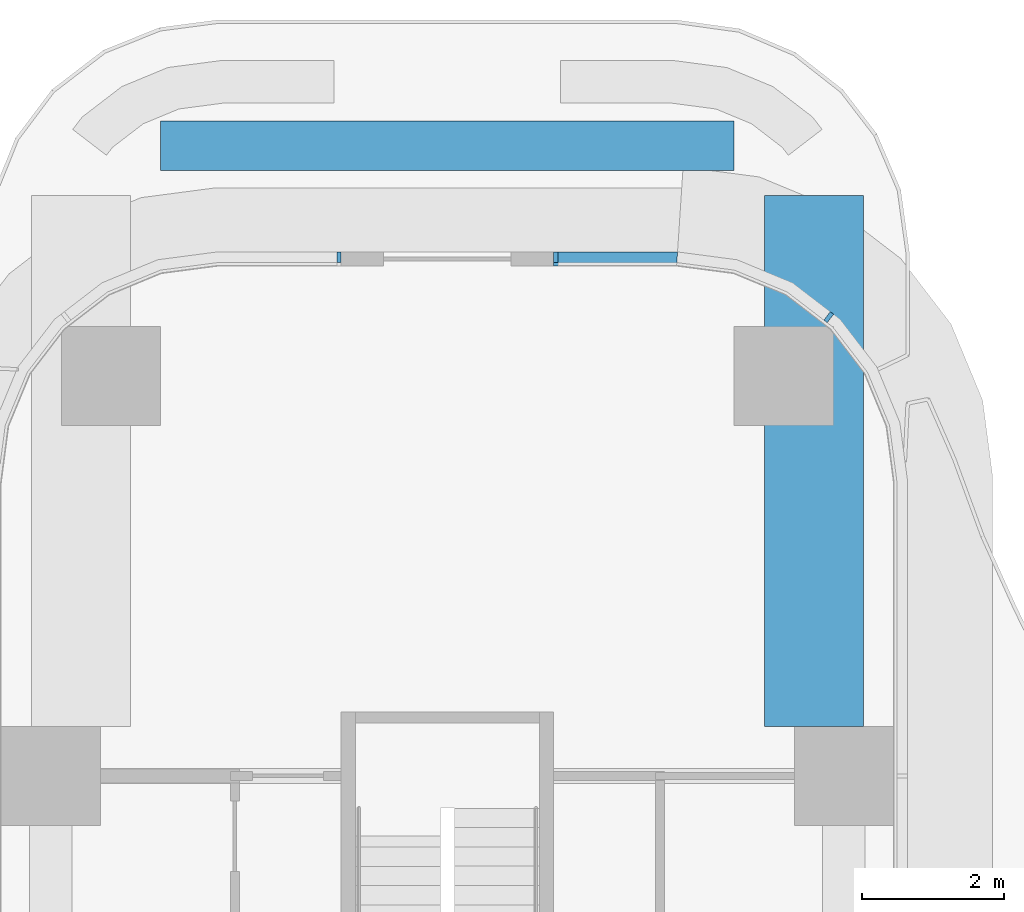
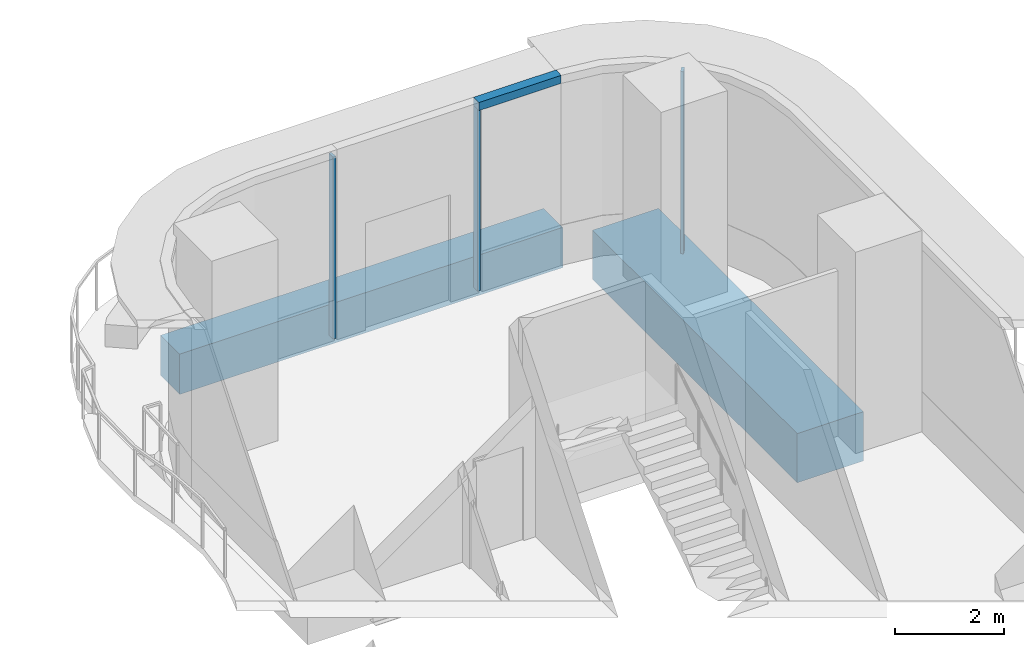
# One storey, part 12 of 22: 4 members, 2 beams, 3 elements without a shape of their own.
"""IFC4 building model written with IfcOpenShell, lengths in metres."""

import ifcopenshell
import ifcopenshell.guid

model = None  # the IFC model being written
_history = None  # IfcOwnerHistory: only IFC2X3 demands one
_inside = {}  # id of a spatial element -> (the spatial element, [elements in it])
_under = {}  # id of a project, library or spatial element -> (it, [spatial elements below it])
_declared = {}  # id of a project -> (the project, [libraries it declares])
_typed = {}  # id of a type object -> (the type object, [elements of that type])
_made_of = {}  # id of a material, layer set ... -> (it, [elements and type objects made of it])


def new_model(schema):
    """Start an empty IFC model of exactly this schema.

    Asked for "IFC4X3", IfcOpenShell would pick the latest addendum, in which some entities
    have other attributes; the version numbers below select the first issue.
    IFC2X3 requires an IfcOwnerHistory on every rooted entity: one is made here for all.
    """
    global model, _history
    if schema == "IFC4X3":
        model = ifcopenshell.file(schema_version=(4, 3, 0, 0))
    else:
        model = ifcopenshell.file(schema=schema)
    _inside.clear()
    _under.clear()
    _declared.clear()
    _typed.clear()
    _made_of.clear()
    _history = None
    if model.schema == "IFC2X3":
        org = make("IfcOrganization", Name="unknown")
        user = make(
            "IfcPersonAndOrganization",
            ThePerson=make("IfcPerson", FamilyName="unknown"),
            TheOrganization=org,
        )
        app = make(
            "IfcApplication",
            ApplicationDeveloper=org,
            Version="unknown",
            ApplicationFullName="unknown",
            ApplicationIdentifier="unknown",
        )
        _history = make(
            "IfcOwnerHistory",
            OwningUser=user,
            OwningApplication=app,
            ChangeAction="ADDED",
            CreationDate=0,
        )
    return model


def make(cls, **values):
    """One entity of the class cls with the attributes given. An attribute that is None is left unset."""
    return model.create_entity(
        cls, **{name: value for name, value in values.items() if value is not None}
    )


def rooted(cls, **values):
    """An entity with a GlobalId (a new one), such as an element, a storey or a relation."""
    return make(cls, GlobalId=ifcopenshell.guid.new(), OwnerHistory=_history, **values)


def si_unit(unit_type, name, prefix=None):
    """IfcSIUnit, for example si_unit("LENGTHUNIT", "METRE", prefix="MILLI")."""
    return make("IfcSIUnit", UnitType=unit_type, Prefix=prefix, Name=name)


def assignment(units):
    """IfcUnitAssignment: the units of a project."""
    return None if units is None else make("IfcUnitAssignment", Units=units)


def point(xyz):
    """IfcCartesianPoint."""
    return None if xyz is None else make("IfcCartesianPoint", Coordinates=xyz)


def direction(xyz):
    """IfcDirection."""
    return None if xyz is None else make("IfcDirection", DirectionRatios=xyz)


def frame(location, z_axis=None, x_axis=None):
    """IfcAxis2Placement3D, a coordinate frame: its origin and axes. An axis left out is left unset."""
    return make(
        "IfcAxis2Placement3D",
        Location=point(location),
        Axis=direction(z_axis),
        RefDirection=direction(x_axis),
    )


def frame_2d(location, x_axis=None):
    """IfcAxis2Placement2D, a coordinate frame in the plane: its origin and x axis."""
    return make(
        "IfcAxis2Placement2D", Location=point(location), RefDirection=direction(x_axis)
    )


def origin():
    """The frame at (0, 0, 0) with its axes left unset."""
    return frame((0.0, 0.0, 0.0))


def origin_2d():
    """The frame at (0, 0) in the plane with its x axis left unset."""
    return frame_2d((0.0, 0.0))


def place(relative_to, where):
    """IfcLocalPlacement: puts the frame where relative to a parent placement (None: the world)."""
    return make(
        "IfcLocalPlacement", PlacementRelTo=relative_to, RelativePlacement=where
    )


def context(
    kind, dimensions, precision=None, world=None, true_north=None, identifier=None
):
    """IfcGeometricRepresentationContext, for example the 3D "Model" context."""
    return make(
        "IfcGeometricRepresentationContext",
        ContextIdentifier=identifier,
        ContextType=kind,
        CoordinateSpaceDimension=dimensions,
        Precision=precision,
        WorldCoordinateSystem=world,
        TrueNorth=true_north,
    )


def subcontext(parent, identifier, kind, view, scale=None):
    """IfcGeometricRepresentationSubContext, for example "Body" below "Model"."""
    return make(
        "IfcGeometricRepresentationSubContext",
        ContextIdentifier=identifier,
        ContextType=kind,
        ParentContext=parent,
        TargetScale=scale,
        TargetView=view,
    )


def project(units=None, contexts=None):
    """IfcProject with its units and contexts."""
    return rooted(
        "IfcProject",
        Name="project",
        RepresentationContexts=contexts,
        UnitsInContext=assignment(units),
    )


def spatial(cls, under=None, at=None, **own):
    """A site, building, storey or space (cls), placed at a placement, below another one or the project."""
    s = rooted(cls, ObjectPlacement=at, **own)
    if under is not None:
        _under.setdefault(under.id(), (under, []))[1].append(s)
    return s


def polyline(points):
    """IfcPolyline through the points."""
    return make("IfcPolyline", Points=[point(p) for p in points])


def profile(cls, at=None, kind="AREA", **sizes):
    """A parametric profile (cls). Its sizes go by their IFC names, for example OverallWidth=200.0."""
    return make(cls, ProfileType=kind, Position=at, **sizes)


def rectangle(**sizes):
    """IfcRectangleProfileDef."""
    return profile("IfcRectangleProfileDef", **sizes)


def outline(outer, holes=None, kind="AREA"):
    """IfcArbitraryClosedProfileDef: a profile drawn as a closed curve; with holes, ...WithVoids."""
    if holes is None:
        return make("IfcArbitraryClosedProfileDef", ProfileType=kind, OuterCurve=outer)
    return make(
        "IfcArbitraryProfileDefWithVoids",
        ProfileType=kind,
        OuterCurve=outer,
        InnerCurves=holes,
    )


def extrude(swept, where, along, depth):
    """IfcExtrudedAreaSolid: the profile swept, set in the frame where, extruded along a direction by depth."""
    return make(
        "IfcExtrudedAreaSolid",
        SweptArea=swept,
        Position=where,
        ExtrudedDirection=direction(along),
        Depth=depth,
    )


def shape(context_of_items, identifier, shape_type, items):
    """IfcShapeRepresentation: the items that make up one representation, for example the "Body"."""
    return make(
        "IfcShapeRepresentation",
        ContextOfItems=context_of_items,
        RepresentationIdentifier=identifier,
        RepresentationType=shape_type,
        Items=items,
    )


def source(mapping_origin, context_of_items, identifier, shape_type, items):
    """IfcRepresentationMap: a shape defined once, which mapped items show again and again."""
    return make(
        "IfcRepresentationMap",
        MappingOrigin=mapping_origin,
        MappedRepresentation=shape(context_of_items, identifier, shape_type, items),
    )


def transform(
    local_origin,
    x_axis=None,
    y_axis=None,
    z_axis=None,
    scale=None,
    scale2=None,
    scale3=None,
    uniform=True,
):
    """IfcCartesianTransformationOperator3D, or its non-uniform kind. x_axis, y_axis, z_axis: its Axis1, 2, 3."""
    if uniform:
        return make(
            "IfcCartesianTransformationOperator3D",
            Axis1=direction(x_axis),
            Axis2=direction(y_axis),
            LocalOrigin=point(local_origin),
            Scale=scale,
            Axis3=direction(z_axis),
        )
    return make(
        "IfcCartesianTransformationOperator3DnonUniform",
        Axis1=direction(x_axis),
        Axis2=direction(y_axis),
        LocalOrigin=point(local_origin),
        Scale=scale,
        Axis3=direction(z_axis),
        Scale2=scale2,
        Scale3=scale3,
    )


def mapped(mapping_source, mapping_target):
    """IfcMappedItem: shows the shape of a source again, moved by a transform."""
    return make(
        "IfcMappedItem", MappingSource=mapping_source, MappingTarget=mapping_target
    )


def material(Name=None, Category=None):
    """IfcMaterial."""
    return make("IfcMaterial", Name=Name, Category=Category)


def layer(
    of_material, thickness, ventilated=None, Name=None, Category=None, Priority=None
):
    """IfcMaterialLayer: one layer of a wall or slab, of a material (None: an air gap)."""
    return make(
        "IfcMaterialLayer",
        Material=of_material,
        LayerThickness=thickness,
        IsVentilated=ventilated,
        Name=Name,
        Category=Category,
        Priority=Priority,
    )


def layer_set(layers, Name=None):
    """IfcMaterialLayerSet."""
    return make("IfcMaterialLayerSet", MaterialLayers=layers, LayerSetName=Name)


def material_profile(
    of_material, cross_section, Name=None, Category=None, Priority=None
):
    """IfcMaterialProfile: a cross section and its material."""
    return make(
        "IfcMaterialProfile",
        Name=Name,
        Material=of_material,
        Profile=cross_section,
        Priority=Priority,
        Category=Category,
    )


def profile_set(profiles, Name=None, composite=None):
    """IfcMaterialProfileSet."""
    return make(
        "IfcMaterialProfileSet",
        Name=Name,
        MaterialProfiles=profiles,
        CompositeProfile=composite,
    )


def made_of(thing, what):
    """Note that an element or type object is made of a material, layer set ...; save() writes the relation."""
    if what is not None:
        _made_of.setdefault(what.id(), (what, []))[1].append(thing)
    return thing


def type_object(cls, material=None, **own):
    """A type object (cls), such as IfcWallType, which elements share."""
    return made_of(rooted(cls, **own), material)


def element(
    cls,
    number,
    at=None,
    inside=None,
    cuts=None,
    type_object=None,
    material=None,
    context=None,
    identifier="Body",
    shape_type=None,
    held_by="IfcProductDefinitionShape",
    body=None,
    shapes=None,
    **own,
):
    """One element of the class cls, such as IfcWall. Its Tag is "e" and its number.

    at: its placement. inside: the storey or other place that contains it. cuts: it is an
    opening in that element (IfcRelVoidsElement). A single representation is given by context,
    identifier, shape_type and body (its items); several are given by shapes. held_by: the class
    of the entity that holds the representations. save() writes the other relations.
    """
    e = rooted(cls, Tag="e%d" % number, ObjectPlacement=at, **own)
    if body is not None:
        shapes = [shape(context, identifier, shape_type, body)]
    if shapes is not None:
        e.Representation = make(held_by, Representations=shapes)
    if inside is not None:
        _inside.setdefault(inside.id(), (inside, []))[1].append(e)
    if cuts is not None:
        rooted(
            "IfcRelVoidsElement", RelatingBuildingElement=cuts, RelatedOpeningElement=e
        )
    if type_object is not None:
        _typed.setdefault(type_object.id(), (type_object, []))[1].append(e)
    return made_of(e, material)


def aggregate(whole, parts):
    """IfcRelAggregates: a whole, such as a stair, and the parts it consists of."""
    return rooted("IfcRelAggregates", RelatingObject=whole, RelatedObjects=parts)


def save(model, path):
    """Write the relations noted so far, then the file.

    IfcRelAggregates (storeys below a building ...), IfcRelContainedInSpatialStructure (elements
    in a storey), IfcRelDefinesByType, IfcRelAssociatesMaterial and IfcRelDeclares: one each for
    every whole, place, type object, material and project.
    """
    for whole, parts in _under.values():
        aggregate(whole, parts)
    for where, things in _inside.values():
        rooted(
            "IfcRelContainedInSpatialStructure",
            RelatedElements=things,
            RelatingStructure=where,
        )
    for kind, things in _typed.values():
        rooted("IfcRelDefinesByType", RelatedObjects=things, RelatingType=kind)
    for what, things in _made_of.values():
        rooted("IfcRelAssociatesMaterial", RelatedObjects=things, RelatingMaterial=what)
    for by, libraries in _declared.values():
        rooted("IfcRelDeclares", RelatingContext=by, RelatedDefinitions=libraries)
    model.write(path)


model = new_model("IFC4")

# Units and contexts
model_context = context("Model", 3, precision=1e-05, world=origin(), true_north=direction((0.0, 1.0)))
body_context = subcontext(model_context, "Body", "Model", "MODEL_VIEW")
ifc_project = project(units=[si_unit("LENGTHUNIT", "METRE"), si_unit("AREAUNIT", "SQUARE_METRE"), si_unit("VOLUMEUNIT", "CUBIC_METRE"), si_unit("PLANEANGLEUNIT", "RADIAN"), si_unit("MASSUNIT", "GRAM", prefix="KILO")], contexts=[model_context])

# Site, building, storey
site_placement = place(None, origin())
site = spatial("IfcSite", under=ifc_project, at=site_placement, CompositionType="ELEMENT")
building_placement = place(site_placement, origin())
building = spatial("IfcBuilding", under=site, at=building_placement, Name="Trellis Farm Tower", CompositionType="ELEMENT")
storey_placement = place(building_placement, frame((0.0, 0.0, 61.0)))
storey = spatial("IfcBuildingStorey", under=building, at=storey_placement, Name="L12", CompositionType="ELEMENT", Elevation=61.0)

# Beams
ifc_material_1 = material(Name="Concrete C60/75", Category="concrete")
ifc_material_profile_1 = material_profile(ifc_material_1, rectangle(XDim=0.699951171875, YDim=0.89990234375, at=origin_2d()), Name="RC spandrel beam 700x900 C60/75")
ifc_profile_set_1 = profile_set([ifc_material_profile_1], Name="Concrete C60/75")
beam_type_1 = type_object("IfcBeamType", Name="RC spandrel beam 700x900 C60/75", PredefinedType="SPANDREL", material=ifc_profile_set_1)
shared_shape_1 = source(origin(), body_context, "Body", "SweptSolid", [
    extrude(rectangle(XDim=0.699951171875, YDim=0.89990234375, at=origin_2d()), origin(), (0.0, 0.0, 1.0), 8.10009765625),
])
beam_1_placement = place(storey_placement, frame((-4.050048828125, 27.5, -0.699951171875), z_axis=(1.0, 0.0, 0.0), x_axis=(0.0, 1.0, 0.0)))
element("IfcBeam", 1, at=beam_1_placement, inside=storey, type_object=beam_type_1, Name="Girder", PredefinedType="SPANDREL", context=body_context, shape_type="MappedRepresentation", body=[
    mapped(shared_shape_1, transform((0.0, 0.0, 0.0))),
])
ifc_material_2 = material(Name="Concrete C80/95", Category="concrete")
ifc_material_profile_2 = material_profile(ifc_material_2, rectangle(XDim=1.39990234375, YDim=1.10009765625, at=origin_2d()), Name="RC transfer beam 1400x1100 C80/95")
ifc_profile_set_2 = profile_set([ifc_material_profile_2], Name="Concrete C80/95")
beam_type_2 = type_object("IfcBeamType", Name="RC transfer beam 1400x1100 C80/95", PredefinedType="BEAM", material=ifc_profile_set_2)
shared_shape_2 = source(origin(), body_context, "Body", "SweptSolid", [
    extrude(rectangle(XDim=1.39990234375, YDim=1.10009765625, at=origin_2d()), origin(), (0.0, 0.0, 1.0), 7.5),
])
beam_2_placement = place(storey_placement, frame((5.175048828125, 19.300048828125, -0.800048828125), z_axis=(0.0, 1.0, 0.0), x_axis=(-1.0, 0.0, 0.0)))
element("IfcBeam", 2, at=beam_2_placement, inside=storey, type_object=beam_type_2, Name="Transfer girder", PredefinedType="BEAM", context=body_context, shape_type="MappedRepresentation", body=[
    mapped(shared_shape_2, transform((0.0, 0.0, 0.0))),
])

# Curtain wall, member
ifc_material_3 = material(Name="Aluminium and glass curtain wall", Category="aluminium")
ifc_layer_1 = layer(ifc_material_3, 0.18994140625)
ifc_layer_set_1 = layer_set([ifc_layer_1], Name="RIBBON CURTAIN WALL CW1")
curtain_wall_type = type_object("IfcCurtainWallType", Name="RIBBON CURTAIN WALL CW1", PredefinedType="NOTDEFINED", material=ifc_layer_set_1)
placement = place(storey_placement, origin())
curtain_wall_1 = element("IfcCurtainWall", 3, at=placement, inside=storey, type_object=curtain_wall_type, Name="CW1 009", PredefinedType="NOTDEFINED")
ifc_material_4 = material(Name="Aluminium extrusion 6063-T6", Category="aluminium")
ifc_material_profile_3 = material_profile(ifc_material_4, rectangle(XDim=0.06005859375, YDim=0.14990234375, at=origin_2d()), Name="MULLION 60x150")
ifc_profile_set_3 = profile_set([ifc_material_profile_3], Name="Aluminium extrusion 6063-T6")
member_type_1 = type_object("IfcMemberType", Name="CW1 MULLION 60x150", PredefinedType="MULLION", material=ifc_profile_set_3)
shared_shape_3 = source(origin(), body_context, "Body", "SweptSolid", [
    extrude(rectangle(XDim=0.06005859375, YDim=0.14990234375, at=origin_2d()), origin(), (0.0, 0.0, 1.0), 4.070068359375),
])
member_1_placement = place(storey_placement, frame((5.385498046875, 25.078369140625, 0.0), z_axis=(0.0, 0.0, 1.0), x_axis=(-0.793353340291, 0.608761429009, 0.0)))
member_1 = element("IfcMember", 4, at=member_1_placement, type_object=member_type_1, Name="MU1 009-03", PredefinedType="MULLION", context=body_context, shape_type="MappedRepresentation", body=[
    mapped(shared_shape_3, transform((0.0, 0.0, 0.0))),
])
aggregate(curtain_wall_1, [member_1])

curtain_wall_2 = element("IfcCurtainWall", 5, at=placement, inside=storey, type_object=curtain_wall_type, Name="CW1 010", PredefinedType="NOTDEFINED")
member_2_placement = place(storey_placement, frame((1.530029296875, 25.925048828125, 0.0), z_axis=(0.0, 0.0, 1.0), x_axis=(-1.0, 0.0, 0.0)))
member_2 = element("IfcMember", 6, at=member_2_placement, type_object=member_type_1, Name="MU1 010-01", PredefinedType="MULLION", context=body_context, shape_type="MappedRepresentation", body=[
    mapped(shared_shape_3, transform((0.0, 0.0, 0.0))),
])

curtain_wall_3 = element("IfcCurtainWall", 7, at=placement, inside=storey, type_object=curtain_wall_type, Name="CW1 011", PredefinedType="NOTDEFINED")
member_3_placement = place(storey_placement, frame((-1.530029296875, 25.925048828125, 0.0), z_axis=(0.0, 0.0, 1.0), x_axis=(-1.0, 0.0, 0.0)))
member_3 = element("IfcMember", 8, at=member_3_placement, type_object=member_type_1, Name="MU1 011-01", PredefinedType="MULLION", context=body_context, shape_type="MappedRepresentation", body=[
    mapped(shared_shape_3, transform((0.0, 0.0, 0.0))),
])
aggregate(curtain_wall_3, [member_3])

# Member
ifc_layer_2 = layer(ifc_material_4, 0.199951171875)
ifc_layer_set_2 = layer_set([ifc_layer_2], Name="Aluminium extrusion 6063-T6")
member_type_2 = type_object("IfcMemberType", Name="CW1 TRANSOM 200x180", PredefinedType="USERDEFINED", material=ifc_layer_set_2)
shared_shape_4 = source(origin(), body_context, "Body", "SweptSolid", [
    extrude(outline(polyline([(3.25, 26.0), (1.5, 26.0), (1.5, 25.800048828125), (3.23681640625, 25.800048828125), (3.25, 26.0)])), origin(), (0.0, 0.0, 1.0), 0.179931640625),
])
member_4_placement = place(storey_placement, frame((0.0, 0.0, 4.070068359375)))
member_4 = element("IfcMember", 9, at=member_4_placement, type_object=member_type_2, Name="TR1 010", ObjectType="TRANSOM", PredefinedType="USERDEFINED", context=body_context, shape_type="MappedRepresentation", body=[
    mapped(shared_shape_4, transform((0.0, 0.0, 0.0))),
])

aggregate(curtain_wall_2, [member_2, member_4])

save(model, "model.ifc")
